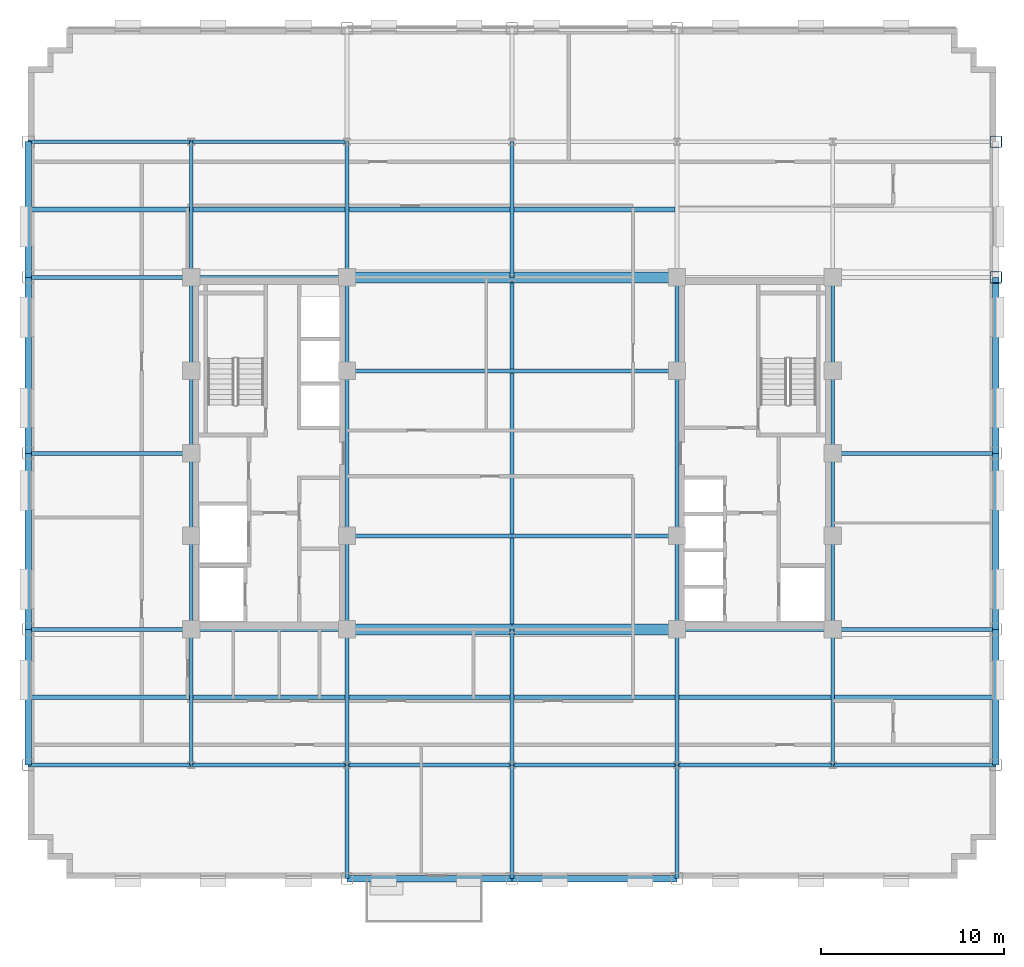
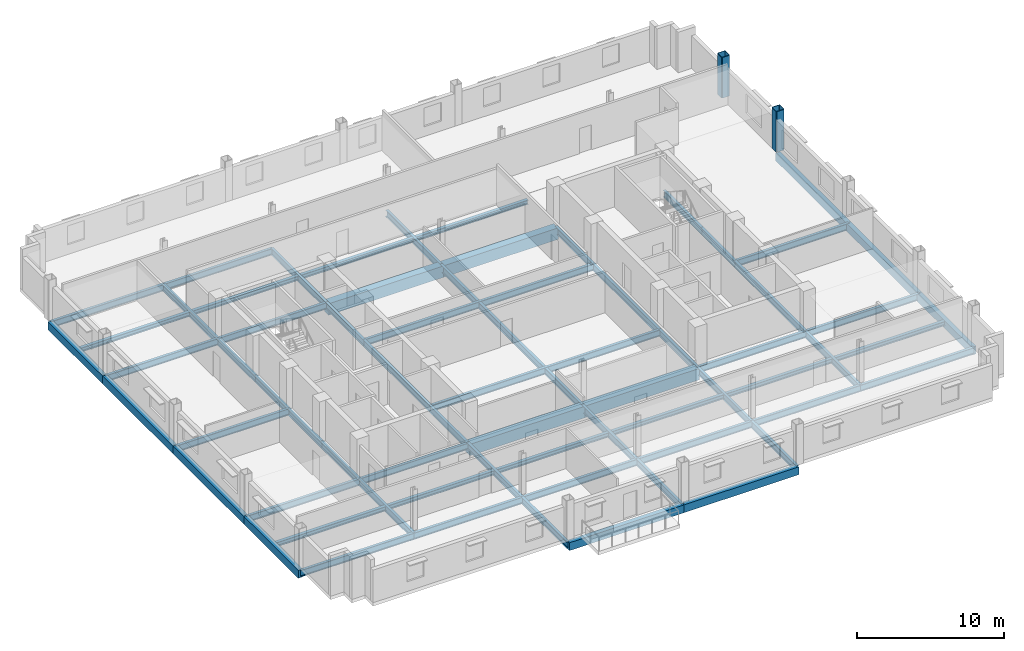
# One storey, part 4 of 14: 67 beams, 2 columns.
"""IFC4 building model written with IfcOpenShell, lengths in metres."""

import ifcopenshell
import ifcopenshell.guid

model = None  # the IFC model being written
_history = None  # IfcOwnerHistory: only IFC2X3 demands one
_inside = {}  # id of a spatial element -> (the spatial element, [elements in it])
_under = {}  # id of a project, library or spatial element -> (it, [spatial elements below it])
_declared = {}  # id of a project -> (the project, [libraries it declares])
_typed = {}  # id of a type object -> (the type object, [elements of that type])
_made_of = {}  # id of a material, layer set ... -> (it, [elements and type objects made of it])


def new_model(schema):
    """Start an empty IFC model of exactly this schema.

    Asked for "IFC4X3", IfcOpenShell would pick the latest addendum, in which some entities
    have other attributes; the version numbers below select the first issue.
    IFC2X3 requires an IfcOwnerHistory on every rooted entity: one is made here for all.
    """
    global model, _history
    if schema == "IFC4X3":
        model = ifcopenshell.file(schema_version=(4, 3, 0, 0))
    else:
        model = ifcopenshell.file(schema=schema)
    _inside.clear()
    _under.clear()
    _declared.clear()
    _typed.clear()
    _made_of.clear()
    _history = None
    if model.schema == "IFC2X3":
        org = make("IfcOrganization", Name="unknown")
        user = make(
            "IfcPersonAndOrganization",
            ThePerson=make("IfcPerson", FamilyName="unknown"),
            TheOrganization=org,
        )
        app = make(
            "IfcApplication",
            ApplicationDeveloper=org,
            Version="unknown",
            ApplicationFullName="unknown",
            ApplicationIdentifier="unknown",
        )
        _history = make(
            "IfcOwnerHistory",
            OwningUser=user,
            OwningApplication=app,
            ChangeAction="ADDED",
            CreationDate=0,
        )
    return model


def make(cls, **values):
    """One entity of the class cls with the attributes given. An attribute that is None is left unset."""
    return model.create_entity(
        cls, **{name: value for name, value in values.items() if value is not None}
    )


def rooted(cls, **values):
    """An entity with a GlobalId (a new one), such as an element, a storey or a relation."""
    return make(cls, GlobalId=ifcopenshell.guid.new(), OwnerHistory=_history, **values)


def si_unit(unit_type, name, prefix=None):
    """IfcSIUnit, for example si_unit("LENGTHUNIT", "METRE", prefix="MILLI")."""
    return make("IfcSIUnit", UnitType=unit_type, Prefix=prefix, Name=name)


def assignment(units):
    """IfcUnitAssignment: the units of a project."""
    return None if units is None else make("IfcUnitAssignment", Units=units)


def point(xyz):
    """IfcCartesianPoint."""
    return None if xyz is None else make("IfcCartesianPoint", Coordinates=xyz)


def direction(xyz):
    """IfcDirection."""
    return None if xyz is None else make("IfcDirection", DirectionRatios=xyz)


def frame(location, z_axis=None, x_axis=None):
    """IfcAxis2Placement3D, a coordinate frame: its origin and axes. An axis left out is left unset."""
    return make(
        "IfcAxis2Placement3D",
        Location=point(location),
        Axis=direction(z_axis),
        RefDirection=direction(x_axis),
    )


def frame_2d(location, x_axis=None):
    """IfcAxis2Placement2D, a coordinate frame in the plane: its origin and x axis."""
    return make(
        "IfcAxis2Placement2D", Location=point(location), RefDirection=direction(x_axis)
    )


def origin():
    """The frame at (0, 0, 0) with its axes left unset."""
    return frame((0.0, 0.0, 0.0))


def origin_2d():
    """The frame at (0, 0) in the plane with its x axis left unset."""
    return frame_2d((0.0, 0.0))


def place(relative_to, where):
    """IfcLocalPlacement: puts the frame where relative to a parent placement (None: the world)."""
    return make(
        "IfcLocalPlacement", PlacementRelTo=relative_to, RelativePlacement=where
    )


def context(
    kind, dimensions, precision=None, world=None, true_north=None, identifier=None
):
    """IfcGeometricRepresentationContext, for example the 3D "Model" context."""
    return make(
        "IfcGeometricRepresentationContext",
        ContextIdentifier=identifier,
        ContextType=kind,
        CoordinateSpaceDimension=dimensions,
        Precision=precision,
        WorldCoordinateSystem=world,
        TrueNorth=true_north,
    )


def subcontext(parent, identifier, kind, view, scale=None):
    """IfcGeometricRepresentationSubContext, for example "Body" below "Model"."""
    return make(
        "IfcGeometricRepresentationSubContext",
        ContextIdentifier=identifier,
        ContextType=kind,
        ParentContext=parent,
        TargetScale=scale,
        TargetView=view,
    )


def project(units=None, contexts=None):
    """IfcProject with its units and contexts."""
    return rooted(
        "IfcProject",
        Name="project",
        RepresentationContexts=contexts,
        UnitsInContext=assignment(units),
    )


def spatial(cls, under=None, at=None, **own):
    """A site, building, storey or space (cls), placed at a placement, below another one or the project."""
    s = rooted(cls, ObjectPlacement=at, **own)
    if under is not None:
        _under.setdefault(under.id(), (under, []))[1].append(s)
    return s


def profile(cls, at=None, kind="AREA", **sizes):
    """A parametric profile (cls). Its sizes go by their IFC names, for example OverallWidth=200.0."""
    return make(cls, ProfileType=kind, Position=at, **sizes)


def rectangle(**sizes):
    """IfcRectangleProfileDef."""
    return profile("IfcRectangleProfileDef", **sizes)


def hollow_rectangle(**sizes):
    """IfcRectangleHollowProfileDef."""
    return profile("IfcRectangleHollowProfileDef", **sizes)


def i_section(**sizes):
    """IfcIShapeProfileDef."""
    return profile("IfcIShapeProfileDef", **sizes)


def extrude(swept, where, along, depth):
    """IfcExtrudedAreaSolid: the profile swept, set in the frame where, extruded along a direction by depth."""
    return make(
        "IfcExtrudedAreaSolid",
        SweptArea=swept,
        Position=where,
        ExtrudedDirection=direction(along),
        Depth=depth,
    )


def shape(context_of_items, identifier, shape_type, items):
    """IfcShapeRepresentation: the items that make up one representation, for example the "Body"."""
    return make(
        "IfcShapeRepresentation",
        ContextOfItems=context_of_items,
        RepresentationIdentifier=identifier,
        RepresentationType=shape_type,
        Items=items,
    )


def material(Name=None, Category=None):
    """IfcMaterial."""
    return make("IfcMaterial", Name=Name, Category=Category)


def material_profile(
    of_material, cross_section, Name=None, Category=None, Priority=None
):
    """IfcMaterialProfile: a cross section and its material."""
    return make(
        "IfcMaterialProfile",
        Name=Name,
        Material=of_material,
        Profile=cross_section,
        Priority=Priority,
        Category=Category,
    )


def profile_set(profiles, Name=None, composite=None):
    """IfcMaterialProfileSet."""
    return make(
        "IfcMaterialProfileSet",
        Name=Name,
        MaterialProfiles=profiles,
        CompositeProfile=composite,
    )


def made_of(thing, what):
    """Note that an element or type object is made of a material, layer set ...; save() writes the relation."""
    if what is not None:
        _made_of.setdefault(what.id(), (what, []))[1].append(thing)
    return thing


def type_object(cls, material=None, **own):
    """A type object (cls), such as IfcWallType, which elements share."""
    return made_of(rooted(cls, **own), material)


def element(
    cls,
    number,
    at=None,
    inside=None,
    cuts=None,
    type_object=None,
    material=None,
    context=None,
    identifier="Body",
    shape_type=None,
    held_by="IfcProductDefinitionShape",
    body=None,
    shapes=None,
    **own,
):
    """One element of the class cls, such as IfcWall. Its Tag is "e" and its number.

    at: its placement. inside: the storey or other place that contains it. cuts: it is an
    opening in that element (IfcRelVoidsElement). A single representation is given by context,
    identifier, shape_type and body (its items); several are given by shapes. held_by: the class
    of the entity that holds the representations. save() writes the other relations.
    """
    e = rooted(cls, Tag="e%d" % number, ObjectPlacement=at, **own)
    if body is not None:
        shapes = [shape(context, identifier, shape_type, body)]
    if shapes is not None:
        e.Representation = make(held_by, Representations=shapes)
    if inside is not None:
        _inside.setdefault(inside.id(), (inside, []))[1].append(e)
    if cuts is not None:
        rooted(
            "IfcRelVoidsElement", RelatingBuildingElement=cuts, RelatedOpeningElement=e
        )
    if type_object is not None:
        _typed.setdefault(type_object.id(), (type_object, []))[1].append(e)
    return made_of(e, material)


def aggregate(whole, parts):
    """IfcRelAggregates: a whole, such as a stair, and the parts it consists of."""
    return rooted("IfcRelAggregates", RelatingObject=whole, RelatedObjects=parts)


def save(model, path):
    """Write the relations noted so far, then the file.

    IfcRelAggregates (storeys below a building ...), IfcRelContainedInSpatialStructure (elements
    in a storey), IfcRelDefinesByType, IfcRelAssociatesMaterial and IfcRelDeclares: one each for
    every whole, place, type object, material and project.
    """
    for whole, parts in _under.values():
        aggregate(whole, parts)
    for where, things in _inside.values():
        rooted(
            "IfcRelContainedInSpatialStructure",
            RelatedElements=things,
            RelatingStructure=where,
        )
    for kind, things in _typed.values():
        rooted("IfcRelDefinesByType", RelatedObjects=things, RelatingType=kind)
    for what, things in _made_of.values():
        rooted("IfcRelAssociatesMaterial", RelatedObjects=things, RelatingMaterial=what)
    for by, libraries in _declared.values():
        rooted("IfcRelDeclares", RelatingContext=by, RelatedDefinitions=libraries)
    model.write(path)


model = new_model("IFC4")

# Units and contexts
model_context = context("Model", 3, precision=1e-05, world=origin(), true_north=direction((0.0, 1.0)))
body_context = subcontext(model_context, "Body", "Model", "MODEL_VIEW")
ifc_project = project(units=[si_unit("LENGTHUNIT", "METRE"), si_unit("AREAUNIT", "SQUARE_METRE"), si_unit("VOLUMEUNIT", "CUBIC_METRE"), si_unit("PLANEANGLEUNIT", "RADIAN"), si_unit("MASSUNIT", "GRAM", prefix="KILO")], contexts=[model_context])

# Site, building, storey
site_placement = place(None, origin())
site = spatial("IfcSite", under=ifc_project, at=site_placement, CompositionType="ELEMENT")
building_placement = place(site_placement, origin())
building = spatial("IfcBuilding", under=site, at=building_placement, Name="Nuvemarco Arch Tower", CompositionType="ELEMENT")
storey_placement = place(building_placement, frame((0.0, 0.0, 131.14990234375)))
storey = spatial("IfcBuildingStorey", under=building, at=storey_placement, Name="L34", CompositionType="ELEMENT", Elevation=131.14990234375)

# Columns
ifc_material_1 = material(Name="Steel S355", Category="steel")
ifc_material_profile_1 = material_profile(ifc_material_1, hollow_rectangle(XDim=0.64990234375, YDim=0.64990234375, WallThickness=0.0400390625, InnerFilletRadius=0.0400390625, OuterFilletRadius=0.080078125, at=origin_2d()), Name="SHS650x650x40")
ifc_profile_set_1 = profile_set([ifc_material_profile_1], Name="Steel S355")
column_type = type_object("IfcColumnType", Name="COL-EXO-650", PredefinedType="COLUMN", material=ifc_profile_set_1)
for number, where, z_axis, x_axis, name in (
    (1, (26.39990234375, 9.60009765625, 0.0), (0.0, 0.0, 1.0), (1.0, 0.0, 0.0), "L34 column CX_+26.4_+9.6"),
    (2, (26.39990234375, 17.0, 0.0), (0.0, 0.0, 1.0), (1.0, 0.0, 0.0), "L34 column CX_+26.4_+17.0"),
):
    element("IfcColumn", number, at=place(storey_placement, frame(where, z_axis=z_axis, x_axis=x_axis)), inside=storey, type_object=column_type, Name=name, PredefinedType="COLUMN", context=body_context, shape_type="SweptSolid", body=[
        extrude(hollow_rectangle(XDim=0.64990234375, YDim=0.64990234375, WallThickness=0.0400390625, InnerFilletRadius=0.0400390625, OuterFilletRadius=0.080078125, at=origin_2d()), origin(), (0.0, 0.0, 1.0), 3.3701171875),
    ])

# Beams
ifc_material_2 = material(Name="Concrete C60/75", Category="concrete")
ifc_material_profile_2 = material_profile(ifc_material_2, rectangle(XDim=0.60009765625, YDim=0.949951171875, at=origin_2d()), Name="RC-BM-600x950")
ifc_profile_set_2 = profile_set([ifc_material_profile_2], Name="Concrete C60/75")
beam_type_1 = type_object("IfcBeamType", Name="BM-COUP-RC", PredefinedType="LINTEL", material=ifc_profile_set_2)
for number, where, z_axis, x_axis, name in (
    (3, (-9.0, -9.60009765625, -0.7548828125), (1.0, 0.0, 0.0), (0.0, 1.0, 0.0), "L34 structural beam BGEW_L34_0_-9.6_-9.0"),
    (4, (0.0, -9.60009765625, -0.7548828125), (1.0, 0.0, 0.0), (0.0, 1.0, 0.0), "L34 structural beam BGEW_L34_0_-9.6_+0.0"),
    (5, (-9.0, 9.60009765625, -0.7548828125), (1.0, 0.0, 0.0), (0.0, 1.0, 0.0), "L34 structural beam BGEW_L34_0_+9.6_-9.0"),
    (6, (0.0, 9.60009765625, -0.7548828125), (1.0, 0.0, 0.0), (0.0, 1.0, 0.0), "L34 structural beam BGEW_L34_0_+9.6_+0.0"),
):
    element("IfcBeam", number, at=place(storey_placement, frame(where, z_axis=z_axis, x_axis=x_axis)), inside=storey, type_object=beam_type_1, Name=name, PredefinedType="LINTEL", context=body_context, shape_type="SweptSolid", body=[
        extrude(rectangle(XDim=0.60009765625, YDim=0.949951171875, at=origin_2d()), origin(), (0.0, 0.0, 1.0), 9.0),
    ])
ifc_material_profile_3 = material_profile(ifc_material_1, i_section(OverallWidth=0.2109375, OverallDepth=0.5390625, WebThickness=0.01171875, FlangeThickness=0.018798828125, FilletRadius=0.01611328125, at=origin_2d()), Name="W530x109")
ifc_profile_set_3 = profile_set([ifc_material_profile_3], Name="Steel S355")
beam_type_2 = type_object("IfcBeamType", Name="BM-GIRD-530", PredefinedType="BEAM", material=ifc_profile_set_3)
beam_1_placement = place(storey_placement, frame((-17.5, -17.0, -0.54931640625), z_axis=(0.0, 1.0, 0.0), x_axis=(-1.0, 0.0, 0.0)))
element("IfcBeam", 7, at=beam_1_placement, inside=storey, type_object=beam_type_2, Name="L34 structural beam BGNS_L34_0_-17.5_-17.0", PredefinedType="BEAM", context=body_context, shape_type="SweptSolid", body=[
    extrude(i_section(OverallWidth=0.2109375, OverallDepth=0.5390625, WebThickness=0.01171875, FlangeThickness=0.018798828125, FilletRadius=0.01611328125, at=origin_2d()), origin(), (0.0, 0.0, 1.0), 7.39990234375),
])
beam_2_placement = place(storey_placement, frame((-17.5, -9.60009765625, -0.54931640625), z_axis=(0.0, 1.0, 0.0), x_axis=(-1.0, 0.0, 0.0)))
element("IfcBeam", 8, at=beam_2_placement, inside=storey, type_object=beam_type_2, Name="L34 structural beam BGNS_L34_0_-17.5_-9.6", PredefinedType="BEAM", context=body_context, shape_type="SweptSolid", body=[
    extrude(i_section(OverallWidth=0.2109375, OverallDepth=0.5390625, WebThickness=0.01171875, FlangeThickness=0.018798828125, FilletRadius=0.01611328125, at=origin_2d()), origin(), (0.0, 0.0, 1.0), 5.10009765625),
])
for number, where, z_axis, x_axis, name in (
    (9, (-17.5, -4.5, -0.54931640625), (0.0, 1.0, 0.0), (-1.0, 0.0, 0.0), "L34 structural beam BGNS_L34_0_-17.5_-4.5"),
    (10, (-17.5, 0.0, -0.54931640625), (0.0, 1.0, 0.0), (-1.0, 0.0, 0.0), "L34 structural beam BGNS_L34_0_-17.5_+0.0"),
):
    element("IfcBeam", number, at=place(storey_placement, frame(where, z_axis=z_axis, x_axis=x_axis)), inside=storey, type_object=beam_type_2, Name=name, PredefinedType="BEAM", context=body_context, shape_type="SweptSolid", body=[
        extrude(i_section(OverallWidth=0.2109375, OverallDepth=0.5390625, WebThickness=0.01171875, FlangeThickness=0.018798828125, FilletRadius=0.01611328125, at=origin_2d()), origin(), (0.0, 0.0, 1.0), 4.5),
    ])
beam_3_placement = place(storey_placement, frame((-17.5, 4.5, -0.54931640625), z_axis=(0.0, 1.0, 0.0), x_axis=(-1.0, 0.0, 0.0)))
element("IfcBeam", 11, at=beam_3_placement, inside=storey, type_object=beam_type_2, Name="L34 structural beam BGNS_L34_0_-17.5_+4.5", PredefinedType="BEAM", context=body_context, shape_type="SweptSolid", body=[
    extrude(i_section(OverallWidth=0.2109375, OverallDepth=0.5390625, WebThickness=0.01171875, FlangeThickness=0.018798828125, FilletRadius=0.01611328125, at=origin_2d()), origin(), (0.0, 0.0, 1.0), 5.10009765625),
])
beam_4_placement = place(storey_placement, frame((-17.5, 9.60009765625, -0.54931640625), z_axis=(0.0, 1.0, 0.0), x_axis=(-1.0, 0.0, 0.0)))
element("IfcBeam", 12, at=beam_4_placement, inside=storey, type_object=beam_type_2, Name="L34 structural beam BGNS_L34_0_-17.5_+9.6", PredefinedType="BEAM", context=body_context, shape_type="SweptSolid", body=[
    extrude(i_section(OverallWidth=0.2109375, OverallDepth=0.5390625, WebThickness=0.01171875, FlangeThickness=0.018798828125, FilletRadius=0.01611328125, at=origin_2d()), origin(), (0.0, 0.0, 1.0), 7.39990234375),
])
beam_5_placement = place(storey_placement, frame((-9.0, -23.199951171875, -0.54931640625), z_axis=(0.0, 1.0, 0.0), x_axis=(-1.0, 0.0, 0.0)))
element("IfcBeam", 13, at=beam_5_placement, inside=storey, type_object=beam_type_2, Name="L34 structural beam BGNS_L34_0_-9.0_-23.2", PredefinedType="BEAM", context=body_context, shape_type="SweptSolid", body=[
    extrude(i_section(OverallWidth=0.2109375, OverallDepth=0.5390625, WebThickness=0.01171875, FlangeThickness=0.018798828125, FilletRadius=0.01611328125, at=origin_2d()), origin(), (0.0, 0.0, 1.0), 6.199951171875),
])
beam_6_placement = place(storey_placement, frame((-9.0, -17.0, -0.54931640625), z_axis=(0.0, 1.0, 0.0), x_axis=(-1.0, 0.0, 0.0)))
element("IfcBeam", 14, at=beam_6_placement, inside=storey, type_object=beam_type_2, Name="L34 structural beam BGNS_L34_0_-9.0_-17.0", PredefinedType="BEAM", context=body_context, shape_type="SweptSolid", body=[
    extrude(i_section(OverallWidth=0.2109375, OverallDepth=0.5390625, WebThickness=0.01171875, FlangeThickness=0.018798828125, FilletRadius=0.01611328125, at=origin_2d()), origin(), (0.0, 0.0, 1.0), 7.39990234375),
])
beam_7_placement = place(storey_placement, frame((-9.0, -9.60009765625, -0.54931640625), z_axis=(0.0, 1.0, 0.0), x_axis=(-1.0, 0.0, 0.0)))
element("IfcBeam", 15, at=beam_7_placement, inside=storey, type_object=beam_type_2, Name="L34 structural beam BGNS_L34_0_-9.0_-9.6", PredefinedType="BEAM", context=body_context, shape_type="SweptSolid", body=[
    extrude(i_section(OverallWidth=0.2109375, OverallDepth=0.5390625, WebThickness=0.01171875, FlangeThickness=0.018798828125, FilletRadius=0.01611328125, at=origin_2d()), origin(), (0.0, 0.0, 1.0), 5.10009765625),
])
beam_8_placement = place(storey_placement, frame((-9.0, -4.5, -0.54931640625), z_axis=(0.0, 1.0, 0.0), x_axis=(-1.0, 0.0, 0.0)))
element("IfcBeam", 16, at=beam_8_placement, inside=storey, type_object=beam_type_2, Name="L34 structural beam BGNS_L34_0_-9.0_-4.5", PredefinedType="BEAM", context=body_context, shape_type="SweptSolid", body=[
    extrude(i_section(OverallWidth=0.2109375, OverallDepth=0.5390625, WebThickness=0.01171875, FlangeThickness=0.018798828125, FilletRadius=0.01611328125, at=origin_2d()), origin(), (0.0, 0.0, 1.0), 9.0),
])
beam_9_placement = place(storey_placement, frame((-9.0, 4.5, -0.54931640625), z_axis=(0.0, 1.0, 0.0), x_axis=(-1.0, 0.0, 0.0)))
element("IfcBeam", 17, at=beam_9_placement, inside=storey, type_object=beam_type_2, Name="L34 structural beam BGNS_L34_0_-9.0_+4.5", PredefinedType="BEAM", context=body_context, shape_type="SweptSolid", body=[
    extrude(i_section(OverallWidth=0.2109375, OverallDepth=0.5390625, WebThickness=0.01171875, FlangeThickness=0.018798828125, FilletRadius=0.01611328125, at=origin_2d()), origin(), (0.0, 0.0, 1.0), 5.10009765625),
])
beam_10_placement = place(storey_placement, frame((-9.0, 9.60009765625, -0.54931640625), z_axis=(0.0, 1.0, 0.0), x_axis=(-1.0, 0.0, 0.0)))
element("IfcBeam", 18, at=beam_10_placement, inside=storey, type_object=beam_type_2, Name="L34 structural beam BGNS_L34_0_-9.0_+9.6", PredefinedType="BEAM", context=body_context, shape_type="SweptSolid", body=[
    extrude(i_section(OverallWidth=0.2109375, OverallDepth=0.5390625, WebThickness=0.01171875, FlangeThickness=0.018798828125, FilletRadius=0.01611328125, at=origin_2d()), origin(), (0.0, 0.0, 1.0), 7.39990234375),
])
beam_11_placement = place(storey_placement, frame((0.0, -23.199951171875, -0.54931640625), z_axis=(0.0, 1.0, 0.0), x_axis=(-1.0, 0.0, 0.0)))
element("IfcBeam", 19, at=beam_11_placement, inside=storey, type_object=beam_type_2, Name="L34 structural beam BGNS_L34_0_+0.0_-23.2", PredefinedType="BEAM", context=body_context, shape_type="SweptSolid", body=[
    extrude(i_section(OverallWidth=0.2109375, OverallDepth=0.5390625, WebThickness=0.01171875, FlangeThickness=0.018798828125, FilletRadius=0.01611328125, at=origin_2d()), origin(), (0.0, 0.0, 1.0), 6.199951171875),
])
beam_12_placement = place(storey_placement, frame((0.0, -17.0, -0.54931640625), z_axis=(0.0, 1.0, 0.0), x_axis=(-1.0, 0.0, 0.0)))
element("IfcBeam", 20, at=beam_12_placement, inside=storey, type_object=beam_type_2, Name="L34 structural beam BGNS_L34_0_+0.0_-17.0", PredefinedType="BEAM", context=body_context, shape_type="SweptSolid", body=[
    extrude(i_section(OverallWidth=0.2109375, OverallDepth=0.5390625, WebThickness=0.01171875, FlangeThickness=0.018798828125, FilletRadius=0.01611328125, at=origin_2d()), origin(), (0.0, 0.0, 1.0), 7.39990234375),
])
beam_13_placement = place(storey_placement, frame((0.0, -9.60009765625, -0.54931640625), z_axis=(0.0, 1.0, 0.0), x_axis=(-1.0, 0.0, 0.0)))
element("IfcBeam", 21, at=beam_13_placement, inside=storey, type_object=beam_type_2, Name="L34 structural beam BGNS_L34_0_+0.0_-9.6", PredefinedType="BEAM", context=body_context, shape_type="SweptSolid", body=[
    extrude(i_section(OverallWidth=0.2109375, OverallDepth=0.5390625, WebThickness=0.01171875, FlangeThickness=0.018798828125, FilletRadius=0.01611328125, at=origin_2d()), origin(), (0.0, 0.0, 1.0), 19.2001953125),
])
beam_14_placement = place(storey_placement, frame((0.0, 9.60009765625, -0.54931640625), z_axis=(0.0, 1.0, 0.0), x_axis=(-1.0, 0.0, 0.0)))
element("IfcBeam", 22, at=beam_14_placement, inside=storey, type_object=beam_type_2, Name="L34 structural beam BGNS_L34_0_+0.0_+9.6", PredefinedType="BEAM", context=body_context, shape_type="SweptSolid", body=[
    extrude(i_section(OverallWidth=0.2109375, OverallDepth=0.5390625, WebThickness=0.01171875, FlangeThickness=0.018798828125, FilletRadius=0.01611328125, at=origin_2d()), origin(), (0.0, 0.0, 1.0), 7.39990234375),
])
beam_15_placement = place(storey_placement, frame((9.0, -23.199951171875, -0.54931640625), z_axis=(0.0, 1.0, 0.0), x_axis=(-1.0, 0.0, 0.0)))
element("IfcBeam", 23, at=beam_15_placement, inside=storey, type_object=beam_type_2, Name="L34 structural beam BGNS_L34_0_+9.0_-23.2", PredefinedType="BEAM", context=body_context, shape_type="SweptSolid", body=[
    extrude(i_section(OverallWidth=0.2109375, OverallDepth=0.5390625, WebThickness=0.01171875, FlangeThickness=0.018798828125, FilletRadius=0.01611328125, at=origin_2d()), origin(), (0.0, 0.0, 1.0), 6.199951171875),
])
beam_16_placement = place(storey_placement, frame((9.0, -17.0, -0.54931640625), z_axis=(0.0, 1.0, 0.0), x_axis=(-1.0, 0.0, 0.0)))
element("IfcBeam", 24, at=beam_16_placement, inside=storey, type_object=beam_type_2, Name="L34 structural beam BGNS_L34_0_+9.0_-17.0", PredefinedType="BEAM", context=body_context, shape_type="SweptSolid", body=[
    extrude(i_section(OverallWidth=0.2109375, OverallDepth=0.5390625, WebThickness=0.01171875, FlangeThickness=0.018798828125, FilletRadius=0.01611328125, at=origin_2d()), origin(), (0.0, 0.0, 1.0), 7.39990234375),
])
beam_17_placement = place(storey_placement, frame((9.0, -9.60009765625, -0.54931640625), z_axis=(0.0, 1.0, 0.0), x_axis=(-1.0, 0.0, 0.0)))
element("IfcBeam", 25, at=beam_17_placement, inside=storey, type_object=beam_type_2, Name="L34 structural beam BGNS_L34_0_+9.0_-9.6", PredefinedType="BEAM", context=body_context, shape_type="SweptSolid", body=[
    extrude(i_section(OverallWidth=0.2109375, OverallDepth=0.5390625, WebThickness=0.01171875, FlangeThickness=0.018798828125, FilletRadius=0.01611328125, at=origin_2d()), origin(), (0.0, 0.0, 1.0), 5.10009765625),
])
beam_18_placement = place(storey_placement, frame((9.0, -4.5, -0.54931640625), z_axis=(0.0, 1.0, 0.0), x_axis=(-1.0, 0.0, 0.0)))
element("IfcBeam", 26, at=beam_18_placement, inside=storey, type_object=beam_type_2, Name="L34 structural beam BGNS_L34_0_+9.0_-4.5", PredefinedType="BEAM", context=body_context, shape_type="SweptSolid", body=[
    extrude(i_section(OverallWidth=0.2109375, OverallDepth=0.5390625, WebThickness=0.01171875, FlangeThickness=0.018798828125, FilletRadius=0.01611328125, at=origin_2d()), origin(), (0.0, 0.0, 1.0), 9.0),
])
beam_19_placement = place(storey_placement, frame((9.0, 4.5, -0.54931640625), z_axis=(0.0, 1.0, 0.0), x_axis=(-1.0, 0.0, 0.0)))
element("IfcBeam", 27, at=beam_19_placement, inside=storey, type_object=beam_type_2, Name="L34 structural beam BGNS_L34_0_+9.0_+4.5", PredefinedType="BEAM", context=body_context, shape_type="SweptSolid", body=[
    extrude(i_section(OverallWidth=0.2109375, OverallDepth=0.5390625, WebThickness=0.01171875, FlangeThickness=0.018798828125, FilletRadius=0.01611328125, at=origin_2d()), origin(), (0.0, 0.0, 1.0), 5.10009765625),
])
beam_20_placement = place(storey_placement, frame((17.5, -17.0, -0.54931640625), z_axis=(0.0, 1.0, 0.0), x_axis=(-1.0, 0.0, 0.0)))
element("IfcBeam", 28, at=beam_20_placement, inside=storey, type_object=beam_type_2, Name="L34 structural beam BGNS_L34_0_+17.5_-17.0", PredefinedType="BEAM", context=body_context, shape_type="SweptSolid", body=[
    extrude(i_section(OverallWidth=0.2109375, OverallDepth=0.5390625, WebThickness=0.01171875, FlangeThickness=0.018798828125, FilletRadius=0.01611328125, at=origin_2d()), origin(), (0.0, 0.0, 1.0), 7.39990234375),
])
beam_21_placement = place(storey_placement, frame((17.5, -9.60009765625, -0.54931640625), z_axis=(0.0, 1.0, 0.0), x_axis=(-1.0, 0.0, 0.0)))
element("IfcBeam", 29, at=beam_21_placement, inside=storey, type_object=beam_type_2, Name="L34 structural beam BGNS_L34_0_+17.5_-9.6", PredefinedType="BEAM", context=body_context, shape_type="SweptSolid", body=[
    extrude(i_section(OverallWidth=0.2109375, OverallDepth=0.5390625, WebThickness=0.01171875, FlangeThickness=0.018798828125, FilletRadius=0.01611328125, at=origin_2d()), origin(), (0.0, 0.0, 1.0), 5.10009765625),
])
for number, where, z_axis, x_axis, name in (
    (30, (17.5, -4.5, -0.54931640625), (0.0, 1.0, 0.0), (-1.0, 0.0, 0.0), "L34 structural beam BGNS_L34_0_+17.5_-4.5"),
    (31, (17.5, 0.0, -0.54931640625), (0.0, 1.0, 0.0), (-1.0, 0.0, 0.0), "L34 structural beam BGNS_L34_0_+17.5_+0.0"),
):
    element("IfcBeam", number, at=place(storey_placement, frame(where, z_axis=z_axis, x_axis=x_axis)), inside=storey, type_object=beam_type_2, Name=name, PredefinedType="BEAM", context=body_context, shape_type="SweptSolid", body=[
        extrude(i_section(OverallWidth=0.2109375, OverallDepth=0.5390625, WebThickness=0.01171875, FlangeThickness=0.018798828125, FilletRadius=0.01611328125, at=origin_2d()), origin(), (0.0, 0.0, 1.0), 4.5),
    ])
beam_22_placement = place(storey_placement, frame((17.5, 4.5, -0.54931640625), z_axis=(0.0, 1.0, 0.0), x_axis=(-1.0, 0.0, 0.0)))
element("IfcBeam", 32, at=beam_22_placement, inside=storey, type_object=beam_type_2, Name="L34 structural beam BGNS_L34_0_+17.5_+4.5", PredefinedType="BEAM", context=body_context, shape_type="SweptSolid", body=[
    extrude(i_section(OverallWidth=0.2109375, OverallDepth=0.5390625, WebThickness=0.01171875, FlangeThickness=0.018798828125, FilletRadius=0.01611328125, at=origin_2d()), origin(), (0.0, 0.0, 1.0), 5.10009765625),
])
beam_23_placement = place(storey_placement, frame((-26.39990234375, -17.0, -0.54931640625), z_axis=(1.0, 0.0, 0.0), x_axis=(0.0, 1.0, 0.0)))
element("IfcBeam", 33, at=beam_23_placement, inside=storey, type_object=beam_type_2, Name="L34 structural beam BGEW_L34_0_-17.0_-26.4", PredefinedType="BEAM", context=body_context, shape_type="SweptSolid", body=[
    extrude(i_section(OverallWidth=0.2109375, OverallDepth=0.5390625, WebThickness=0.01171875, FlangeThickness=0.018798828125, FilletRadius=0.01611328125, at=origin_2d()), origin(), (0.0, 0.0, 1.0), 8.89990234375),
])
beam_24_placement = place(storey_placement, frame((-17.5, -17.0, -0.54931640625), z_axis=(1.0, 0.0, 0.0), x_axis=(0.0, 1.0, 0.0)))
element("IfcBeam", 34, at=beam_24_placement, inside=storey, type_object=beam_type_2, Name="L34 structural beam BGEW_L34_0_-17.0_-17.5", PredefinedType="BEAM", context=body_context, shape_type="SweptSolid", body=[
    extrude(i_section(OverallWidth=0.2109375, OverallDepth=0.5390625, WebThickness=0.01171875, FlangeThickness=0.018798828125, FilletRadius=0.01611328125, at=origin_2d()), origin(), (0.0, 0.0, 1.0), 8.5),
])
for number, where, z_axis, x_axis, name in (
    (35, (-9.0, -17.0, -0.54931640625), (1.0, 0.0, 0.0), (0.0, 1.0, 0.0), "L34 structural beam BGEW_L34_0_-17.0_-9.0"),
    (36, (0.0, -17.0, -0.54931640625), (1.0, 0.0, 0.0), (0.0, 1.0, 0.0), "L34 structural beam BGEW_L34_0_-17.0_+0.0"),
):
    element("IfcBeam", number, at=place(storey_placement, frame(where, z_axis=z_axis, x_axis=x_axis)), inside=storey, type_object=beam_type_2, Name=name, PredefinedType="BEAM", context=body_context, shape_type="SweptSolid", body=[
        extrude(i_section(OverallWidth=0.2109375, OverallDepth=0.5390625, WebThickness=0.01171875, FlangeThickness=0.018798828125, FilletRadius=0.01611328125, at=origin_2d()), origin(), (0.0, 0.0, 1.0), 9.0),
    ])
beam_25_placement = place(storey_placement, frame((9.0, -17.0, -0.54931640625), z_axis=(1.0, 0.0, 0.0), x_axis=(0.0, 1.0, 0.0)))
element("IfcBeam", 37, at=beam_25_placement, inside=storey, type_object=beam_type_2, Name="L34 structural beam BGEW_L34_0_-17.0_+9.0", PredefinedType="BEAM", context=body_context, shape_type="SweptSolid", body=[
    extrude(i_section(OverallWidth=0.2109375, OverallDepth=0.5390625, WebThickness=0.01171875, FlangeThickness=0.018798828125, FilletRadius=0.01611328125, at=origin_2d()), origin(), (0.0, 0.0, 1.0), 8.5),
])
for number, where, z_axis, x_axis, name in (
    (38, (17.5, -17.0, -0.54931640625), (1.0, 0.0, 0.0), (0.0, 1.0, 0.0), "L34 structural beam BGEW_L34_0_-17.0_+17.5"),
    (39, (-26.39990234375, -9.60009765625, -0.54931640625), (1.0, 0.0, 0.0), (0.0, 1.0, 0.0), "L34 structural beam BGEW_L34_0_-9.6_-26.4"),
):
    element("IfcBeam", number, at=place(storey_placement, frame(where, z_axis=z_axis, x_axis=x_axis)), inside=storey, type_object=beam_type_2, Name=name, PredefinedType="BEAM", context=body_context, shape_type="SweptSolid", body=[
        extrude(i_section(OverallWidth=0.2109375, OverallDepth=0.5390625, WebThickness=0.01171875, FlangeThickness=0.018798828125, FilletRadius=0.01611328125, at=origin_2d()), origin(), (0.0, 0.0, 1.0), 8.89990234375),
    ])
for number, where, z_axis, x_axis, name in (
    (40, (-17.5, -9.60009765625, -0.54931640625), (1.0, 0.0, 0.0), (0.0, 1.0, 0.0), "L34 structural beam BGEW_L34_0_-9.6_-17.5"),
    (41, (9.0, -9.60009765625, -0.54931640625), (1.0, 0.0, 0.0), (0.0, 1.0, 0.0), "L34 structural beam BGEW_L34_0_-9.6_+9.0"),
):
    element("IfcBeam", number, at=place(storey_placement, frame(where, z_axis=z_axis, x_axis=x_axis)), inside=storey, type_object=beam_type_2, Name=name, PredefinedType="BEAM", context=body_context, shape_type="SweptSolid", body=[
        extrude(i_section(OverallWidth=0.2109375, OverallDepth=0.5390625, WebThickness=0.01171875, FlangeThickness=0.018798828125, FilletRadius=0.01611328125, at=origin_2d()), origin(), (0.0, 0.0, 1.0), 8.5),
    ])
beam_26_placement = place(storey_placement, frame((17.5, -9.60009765625, -0.54931640625), z_axis=(1.0, 0.0, 0.0), x_axis=(0.0, 1.0, 0.0)))
element("IfcBeam", 42, at=beam_26_placement, inside=storey, type_object=beam_type_2, Name="L34 structural beam BGEW_L34_0_-9.6_+17.5", PredefinedType="BEAM", context=body_context, shape_type="SweptSolid", body=[
    extrude(i_section(OverallWidth=0.2109375, OverallDepth=0.5390625, WebThickness=0.01171875, FlangeThickness=0.018798828125, FilletRadius=0.01611328125, at=origin_2d()), origin(), (0.0, 0.0, 1.0), 8.89990234375),
])
beam_27_placement = place(storey_placement, frame((-9.0, -4.5, -0.54931640625), z_axis=(1.0, 0.0, 0.0), x_axis=(0.0, 1.0, 0.0)))
element("IfcBeam", 43, at=beam_27_placement, inside=storey, type_object=beam_type_2, Name="L34 structural beam BGEW_L34_0_-4.5_-9.0", PredefinedType="BEAM", context=body_context, shape_type="SweptSolid", body=[
    extrude(i_section(OverallWidth=0.2109375, OverallDepth=0.5390625, WebThickness=0.01171875, FlangeThickness=0.018798828125, FilletRadius=0.01611328125, at=origin_2d()), origin(), (0.0, 0.0, 1.0), 18.0),
])
for number, where, z_axis, x_axis, name in (
    (44, (-26.39990234375, 0.0, -0.54931640625), (1.0, 0.0, 0.0), (0.0, 1.0, 0.0), "L34 structural beam BGEW_L34_0_+0.0_-26.4"),
    (45, (17.5, 0.0, -0.54931640625), (1.0, 0.0, 0.0), (0.0, 1.0, 0.0), "L34 structural beam BGEW_L34_0_+0.0_+17.5"),
):
    element("IfcBeam", number, at=place(storey_placement, frame(where, z_axis=z_axis, x_axis=x_axis)), inside=storey, type_object=beam_type_2, Name=name, PredefinedType="BEAM", context=body_context, shape_type="SweptSolid", body=[
        extrude(i_section(OverallWidth=0.2109375, OverallDepth=0.5390625, WebThickness=0.01171875, FlangeThickness=0.018798828125, FilletRadius=0.01611328125, at=origin_2d()), origin(), (0.0, 0.0, 1.0), 8.89990234375),
    ])
beam_28_placement = place(storey_placement, frame((-9.0, 4.5, -0.54931640625), z_axis=(1.0, 0.0, 0.0), x_axis=(0.0, 1.0, 0.0)))
element("IfcBeam", 46, at=beam_28_placement, inside=storey, type_object=beam_type_2, Name="L34 structural beam BGEW_L34_0_+4.5_-9.0", PredefinedType="BEAM", context=body_context, shape_type="SweptSolid", body=[
    extrude(i_section(OverallWidth=0.2109375, OverallDepth=0.5390625, WebThickness=0.01171875, FlangeThickness=0.018798828125, FilletRadius=0.01611328125, at=origin_2d()), origin(), (0.0, 0.0, 1.0), 18.0),
])
beam_29_placement = place(storey_placement, frame((-26.39990234375, 9.60009765625, -0.54931640625), z_axis=(1.0, 0.0, 0.0), x_axis=(0.0, 1.0, 0.0)))
element("IfcBeam", 47, at=beam_29_placement, inside=storey, type_object=beam_type_2, Name="L34 structural beam BGEW_L34_0_+9.6_-26.4", PredefinedType="BEAM", context=body_context, shape_type="SweptSolid", body=[
    extrude(i_section(OverallWidth=0.2109375, OverallDepth=0.5390625, WebThickness=0.01171875, FlangeThickness=0.018798828125, FilletRadius=0.01611328125, at=origin_2d()), origin(), (0.0, 0.0, 1.0), 8.89990234375),
])
beam_30_placement = place(storey_placement, frame((-17.5, 9.60009765625, -0.54931640625), z_axis=(1.0, 0.0, 0.0), x_axis=(0.0, 1.0, 0.0)))
element("IfcBeam", 48, at=beam_30_placement, inside=storey, type_object=beam_type_2, Name="L34 structural beam BGEW_L34_0_+9.6_-17.5", PredefinedType="BEAM", context=body_context, shape_type="SweptSolid", body=[
    extrude(i_section(OverallWidth=0.2109375, OverallDepth=0.5390625, WebThickness=0.01171875, FlangeThickness=0.018798828125, FilletRadius=0.01611328125, at=origin_2d()), origin(), (0.0, 0.0, 1.0), 8.5),
])
beam_31_placement = place(storey_placement, frame((-26.39990234375, 17.0, -0.54931640625), z_axis=(1.0, 0.0, 0.0), x_axis=(0.0, 1.0, 0.0)))
element("IfcBeam", 49, at=beam_31_placement, inside=storey, type_object=beam_type_2, Name="L34 structural beam BGEW_L34_0_+17.0_-26.4", PredefinedType="BEAM", context=body_context, shape_type="SweptSolid", body=[
    extrude(i_section(OverallWidth=0.2109375, OverallDepth=0.5390625, WebThickness=0.01171875, FlangeThickness=0.018798828125, FilletRadius=0.01611328125, at=origin_2d()), origin(), (0.0, 0.0, 1.0), 8.89990234375),
])
beam_32_placement = place(storey_placement, frame((-17.5, 17.0, -0.54931640625), z_axis=(1.0, 0.0, 0.0), x_axis=(0.0, 1.0, 0.0)))
element("IfcBeam", 50, at=beam_32_placement, inside=storey, type_object=beam_type_2, Name="L34 structural beam BGEW_L34_0_+17.0_-17.5", PredefinedType="BEAM", context=body_context, shape_type="SweptSolid", body=[
    extrude(i_section(OverallWidth=0.2109375, OverallDepth=0.5390625, WebThickness=0.01171875, FlangeThickness=0.018798828125, FilletRadius=0.01611328125, at=origin_2d()), origin(), (0.0, 0.0, 1.0), 8.5),
])
ifc_material_profile_4 = material_profile(ifc_material_1, i_section(OverallWidth=0.2548828125, OverallDepth=0.35693359375, WebThickness=0.010498046875, FlangeThickness=0.018310546875, FilletRadius=0.014892578125, at=origin_2d()), Name="W360x101")
ifc_profile_set_4 = profile_set([ifc_material_profile_4], Name="Steel S355")
beam_type_3 = type_object("IfcBeamType", Name="BM-JOIST-360H", PredefinedType="JOIST", material=ifc_profile_set_4)
beam_33_placement = place(storey_placement, frame((-26.22509765625, -13.300048828125, -0.45849609375), z_axis=(1.0, 0.0, 0.0), x_axis=(0.0, 1.0, 0.0)))
element("IfcBeam", 51, at=beam_33_placement, inside=storey, type_object=beam_type_3, Name="L34 structural beam BJ_L34_0_-13.3_-26.4", PredefinedType="JOIST", context=body_context, shape_type="SweptSolid", body=[
    extrude(i_section(OverallWidth=0.2548828125, OverallDepth=0.35693359375, WebThickness=0.010498046875, FlangeThickness=0.018310546875, FilletRadius=0.014892578125, at=origin_2d()), origin(), (0.0, 0.0, 1.0), 8.61962890625),
])
beam_34_placement = place(storey_placement, frame((-17.39453125, -13.300048828125, -0.45849609375), z_axis=(1.0, 0.0, 0.0), x_axis=(0.0, 1.0, 0.0)))
element("IfcBeam", 52, at=beam_34_placement, inside=storey, type_object=beam_type_3, Name="L34 structural beam BJ_L34_0_-13.3_-17.5", PredefinedType="JOIST", context=body_context, shape_type="SweptSolid", body=[
    extrude(i_section(OverallWidth=0.2548828125, OverallDepth=0.35693359375, WebThickness=0.010498046875, FlangeThickness=0.018310546875, FilletRadius=0.014892578125, at=origin_2d()), origin(), (0.0, 0.0, 1.0), 8.2890625),
])
for number, where, z_axis, x_axis, name in (
    (53, (-8.89453125, -13.300048828125, -0.45849609375), (1.0, 0.0, 0.0), (0.0, 1.0, 0.0), "L34 structural beam BJ_L34_0_-13.3_-9.0"),
    (54, (0.10546875, -13.300048828125, -0.45849609375), (1.0, 0.0, 0.0), (0.0, 1.0, 0.0), "L34 structural beam BJ_L34_0_-13.3_+0.0"),
):
    element("IfcBeam", number, at=place(storey_placement, frame(where, z_axis=z_axis, x_axis=x_axis)), inside=storey, type_object=beam_type_3, Name=name, PredefinedType="JOIST", context=body_context, shape_type="SweptSolid", body=[
        extrude(i_section(OverallWidth=0.2548828125, OverallDepth=0.35693359375, WebThickness=0.010498046875, FlangeThickness=0.018310546875, FilletRadius=0.014892578125, at=origin_2d()), origin(), (0.0, 0.0, 1.0), 8.7890625),
    ])
beam_35_placement = place(storey_placement, frame((9.10546875, -13.300048828125, -0.45849609375), z_axis=(1.0, 0.0, 0.0), x_axis=(0.0, 1.0, 0.0)))
element("IfcBeam", 55, at=beam_35_placement, inside=storey, type_object=beam_type_3, Name="L34 structural beam BJ_L34_0_-13.3_+9.0", PredefinedType="JOIST", context=body_context, shape_type="SweptSolid", body=[
    extrude(i_section(OverallWidth=0.2548828125, OverallDepth=0.35693359375, WebThickness=0.010498046875, FlangeThickness=0.018310546875, FilletRadius=0.014892578125, at=origin_2d()), origin(), (0.0, 0.0, 1.0), 8.2890625),
])
for number, where, z_axis, x_axis, name in (
    (56, (17.60546875, -13.300048828125, -0.45849609375), (1.0, 0.0, 0.0), (0.0, 1.0, 0.0), "L34 structural beam BJ_L34_0_-13.3_+17.5"),
    (57, (-26.22509765625, 13.300048828125, -0.45849609375), (1.0, 0.0, 0.0), (0.0, 1.0, 0.0), "L34 structural beam BJ_L34_0_+13.3_-26.4"),
):
    element("IfcBeam", number, at=place(storey_placement, frame(where, z_axis=z_axis, x_axis=x_axis)), inside=storey, type_object=beam_type_3, Name=name, PredefinedType="JOIST", context=body_context, shape_type="SweptSolid", body=[
        extrude(i_section(OverallWidth=0.2548828125, OverallDepth=0.35693359375, WebThickness=0.010498046875, FlangeThickness=0.018310546875, FilletRadius=0.014892578125, at=origin_2d()), origin(), (0.0, 0.0, 1.0), 8.61962890625),
    ])
beam_36_placement = place(storey_placement, frame((-17.39453125, 13.300048828125, -0.45849609375), z_axis=(1.0, 0.0, 0.0), x_axis=(0.0, 1.0, 0.0)))
element("IfcBeam", 58, at=beam_36_placement, inside=storey, type_object=beam_type_3, Name="L34 structural beam BJ_L34_0_+13.3_-17.5", PredefinedType="JOIST", context=body_context, shape_type="SweptSolid", body=[
    extrude(i_section(OverallWidth=0.2548828125, OverallDepth=0.35693359375, WebThickness=0.010498046875, FlangeThickness=0.018310546875, FilletRadius=0.014892578125, at=origin_2d()), origin(), (0.0, 0.0, 1.0), 8.2890625),
])
for number, where, z_axis, x_axis, name in (
    (59, (-8.89453125, 13.300048828125, -0.45849609375), (1.0, 0.0, 0.0), (0.0, 1.0, 0.0), "L34 structural beam BJ_L34_0_+13.3_-9.0"),
    (60, (0.10546875, 13.300048828125, -0.45849609375), (1.0, 0.0, 0.0), (0.0, 1.0, 0.0), "L34 structural beam BJ_L34_0_+13.3_+0.0"),
):
    element("IfcBeam", number, at=place(storey_placement, frame(where, z_axis=z_axis, x_axis=x_axis)), inside=storey, type_object=beam_type_3, Name=name, PredefinedType="JOIST", context=body_context, shape_type="SweptSolid", body=[
        extrude(i_section(OverallWidth=0.2548828125, OverallDepth=0.35693359375, WebThickness=0.010498046875, FlangeThickness=0.018310546875, FilletRadius=0.014892578125, at=origin_2d()), origin(), (0.0, 0.0, 1.0), 8.7890625),
    ])
ifc_material_3 = material(Name="Precast concrete C45/55", Category="concrete")
ifc_material_profile_5 = material_profile(ifc_material_3, rectangle(XDim=0.35009765625, YDim=0.64990234375, at=origin_2d()), Name="PC-SP-350x650")
ifc_profile_set_5 = profile_set([ifc_material_profile_5], Name="Precast concrete C45/55")
beam_type_4 = type_object("IfcBeamType", Name="BM-SPAN-RC", PredefinedType="SPANDREL", material=ifc_profile_set_5)
beam_37_placement = place(storey_placement, frame((-26.39990234375, -17.0, -0.60498046875), z_axis=(0.0, 1.0, 0.0), x_axis=(-1.0, 0.0, 0.0)))
element("IfcBeam", 61, at=beam_37_placement, inside=storey, type_object=beam_type_4, Name="L34 structural beam BGNS_L34_0_-26.4_-17.0", PredefinedType="SPANDREL", context=body_context, shape_type="SweptSolid", body=[
    extrude(rectangle(XDim=0.35009765625, YDim=0.64990234375, at=origin_2d()), origin(), (0.0, 0.0, 1.0), 7.39990234375),
])
for number, where, z_axis, x_axis, name in (
    (62, (-26.39990234375, -9.60009765625, -0.60498046875), (0.0, 1.0, 0.0), (-1.0, 0.0, 0.0), "L34 structural beam BGNS_L34_0_-26.4_-9.6"),
    (63, (-26.39990234375, 0.0, -0.60498046875), (0.0, 1.0, 0.0), (-1.0, 0.0, 0.0), "L34 structural beam BGNS_L34_0_-26.4_+0.0"),
):
    element("IfcBeam", number, at=place(storey_placement, frame(where, z_axis=z_axis, x_axis=x_axis)), inside=storey, type_object=beam_type_4, Name=name, PredefinedType="SPANDREL", context=body_context, shape_type="SweptSolid", body=[
        extrude(rectangle(XDim=0.35009765625, YDim=0.64990234375, at=origin_2d()), origin(), (0.0, 0.0, 1.0), 9.60009765625),
    ])
for number, where, z_axis, x_axis, name in (
    (64, (-26.39990234375, 9.60009765625, -0.60498046875), (0.0, 1.0, 0.0), (-1.0, 0.0, 0.0), "L34 structural beam BGNS_L34_0_-26.4_+9.6"),
    (65, (26.39990234375, -17.0, -0.60498046875), (0.0, 1.0, 0.0), (-1.0, 0.0, 0.0), "L34 structural beam BGNS_L34_0_+26.4_-17.0"),
):
    element("IfcBeam", number, at=place(storey_placement, frame(where, z_axis=z_axis, x_axis=x_axis)), inside=storey, type_object=beam_type_4, Name=name, PredefinedType="SPANDREL", context=body_context, shape_type="SweptSolid", body=[
        extrude(rectangle(XDim=0.35009765625, YDim=0.64990234375, at=origin_2d()), origin(), (0.0, 0.0, 1.0), 7.39990234375),
    ])
for number, where, z_axis, x_axis, name in (
    (66, (26.39990234375, -9.60009765625, -0.60498046875), (0.0, 1.0, 0.0), (-1.0, 0.0, 0.0), "L34 structural beam BGNS_L34_0_+26.4_-9.6"),
    (67, (26.39990234375, 0.0, -0.60498046875), (0.0, 1.0, 0.0), (-1.0, 0.0, 0.0), "L34 structural beam BGNS_L34_0_+26.4_+0.0"),
):
    element("IfcBeam", number, at=place(storey_placement, frame(where, z_axis=z_axis, x_axis=x_axis)), inside=storey, type_object=beam_type_4, Name=name, PredefinedType="SPANDREL", context=body_context, shape_type="SweptSolid", body=[
        extrude(rectangle(XDim=0.35009765625, YDim=0.64990234375, at=origin_2d()), origin(), (0.0, 0.0, 1.0), 9.60009765625),
    ])
for number, where, z_axis, x_axis, name in (
    (68, (-9.0, -23.199951171875, -0.60498046875), (1.0, 0.0, 0.0), (0.0, 1.0, 0.0), "L34 structural beam BGEW_L34_0_-23.2_-9.0"),
    (69, (0.0, -23.199951171875, -0.60498046875), (1.0, 0.0, 0.0), (0.0, 1.0, 0.0), "L34 structural beam BGEW_L34_0_-23.2_+0.0"),
):
    element("IfcBeam", number, at=place(storey_placement, frame(where, z_axis=z_axis, x_axis=x_axis)), inside=storey, type_object=beam_type_4, Name=name, PredefinedType="SPANDREL", context=body_context, shape_type="SweptSolid", body=[
        extrude(rectangle(XDim=0.35009765625, YDim=0.64990234375, at=origin_2d()), origin(), (0.0, 0.0, 1.0), 9.0),
    ])

save(model, "model.ifc")
